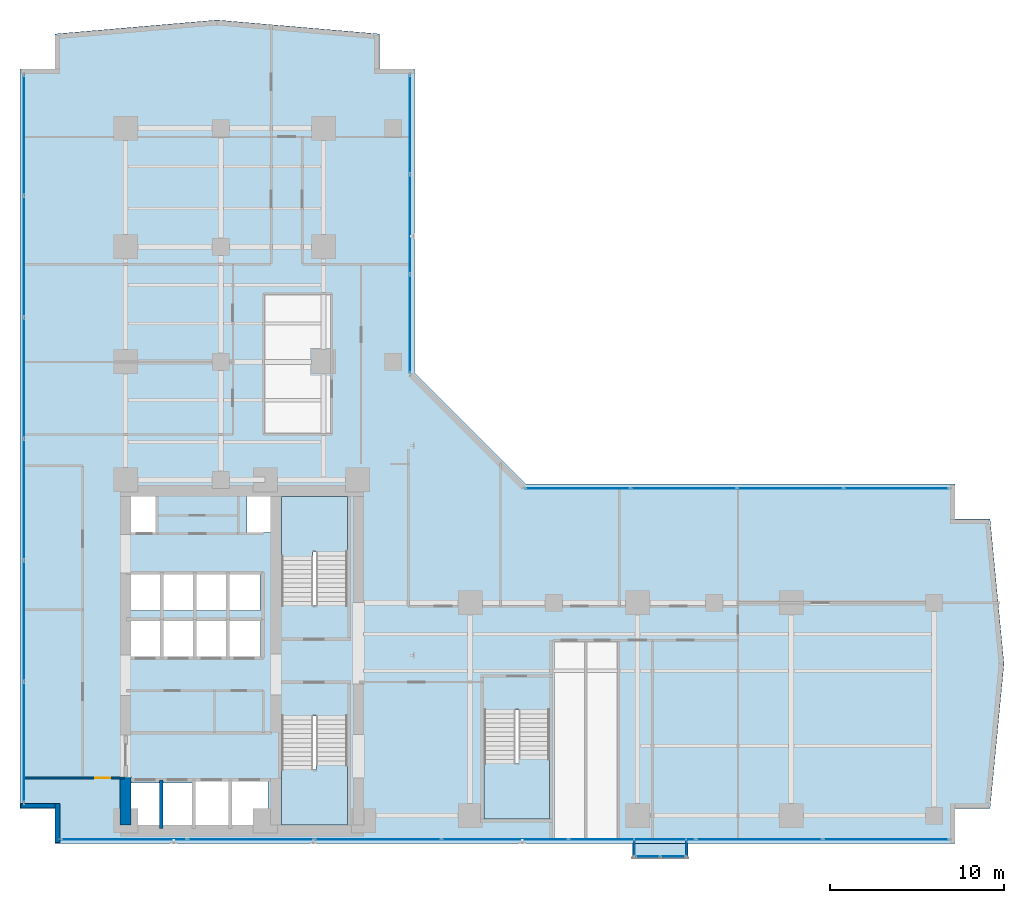
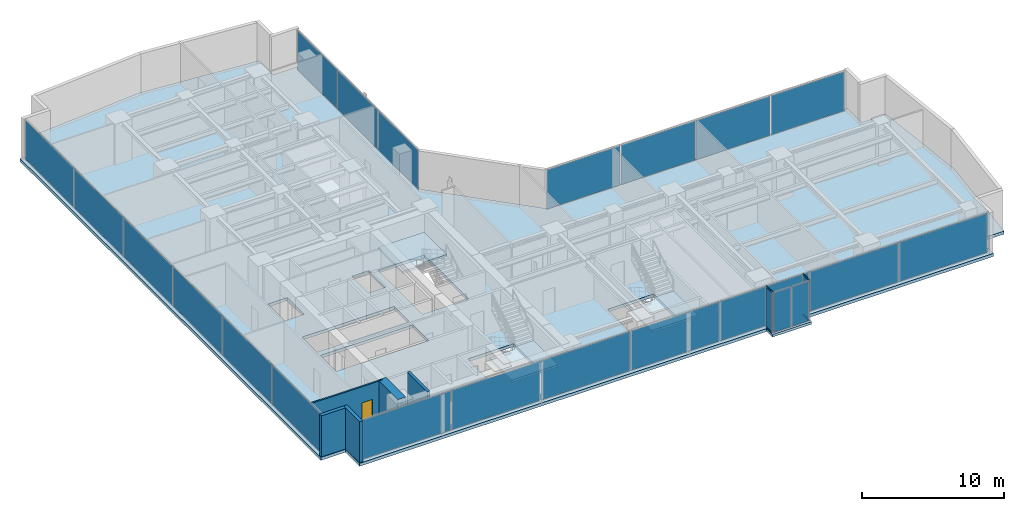
# One storey, part 19 of 27: 24 plates, 5 slabs, 5 walls, 4 members, 1 door, 1 opening, 10 elements without a shape of their own.
"""IFC4 building model written with IfcOpenShell, lengths in metres."""

from ifc_helpers import new_model, si_unit, direction, frame, frame_2d, origin, origin_with_axes, origin_2d, place, context, subcontext, project, spatial, polyline, rectangle, hollow_rectangle, outline, extrude, source, transform, mapped, material, layer, layer_set, material_profile, profile_set, type_object, element, fill, aggregate, save


model = new_model("IFC4")

# Units and contexts
model_context = context("Model", 3, precision=1e-05, world=origin(), true_north=direction((0.0, 1.0)))
body_context = subcontext(model_context, "Body", "Model", "MODEL_VIEW")
ifc_project = project(units=[si_unit("LENGTHUNIT", "METRE"), si_unit("AREAUNIT", "SQUARE_METRE"), si_unit("VOLUMEUNIT", "CUBIC_METRE"), si_unit("PLANEANGLEUNIT", "RADIAN"), si_unit("MASSUNIT", "GRAM", prefix="KILO")], contexts=[model_context])

# Site, building, storey
site_placement = place(None, origin())
site = spatial("IfcSite", under=ifc_project, at=site_placement, CompositionType="ELEMENT")
building_placement = place(site_placement, origin())
building = spatial("IfcBuilding", under=site, at=building_placement, Name="Kolvaren Waterfront Exchange", CompositionType="ELEMENT")
storey_placement = place(building_placement, frame((0.0, 0.0, 118.300048828125)))
storey = spatial("IfcBuildingStorey", under=building, at=storey_placement, Name="L30", CompositionType="ELEMENT", Elevation=118.300048828125)

# Curtain wall, members
ifc_material_1 = material(Name="Anodised bronze aluminium 6063-T6", Category="aluminium")
ifc_layer_1 = layer(ifc_material_1, 0.219970703125, Name="Anodised bronze aluminium 6063-T6")
ifc_layer_set_1 = layer_set([ifc_layer_1], Name="Anodised bronze aluminium 6063-T6")
curtain_wall_type_1 = type_object("IfcCurtainWallType", Name="ARC-CW-SYS3", PredefinedType="USERDEFINED", material=ifc_layer_set_1)
curtain_wall_1_placement = place(storey_placement, origin())
curtain_wall_1 = element("IfcCurtainWall", 1, at=curtain_wall_1_placement, inside=storey, type_object=curtain_wall_type_1, Name="L30 stick curtain wall CW3 (CW-L30-BOX-W)", ObjectType="STICK CURTAIN WALL", PredefinedType="USERDEFINED")
ifc_material_profile = material_profile(ifc_material_1, hollow_rectangle(XDim=0.06494140625, YDim=0.1298828125, WallThickness=0.00390625, at=origin_2d()), Name="ALU-TRN-130x65x4")
ifc_profile_set = profile_set([ifc_material_profile], Name="Anodised bronze aluminium 6063-T6")
member_type = type_object("IfcMemberType", Name="ARC-CWT-130", PredefinedType="USERDEFINED", material=ifc_profile_set)
shared_shape_1 = source(origin_with_axes(), body_context, "Body", "SweptSolid", [
    extrude(hollow_rectangle(XDim=0.06494140625, YDim=0.1298828125, WallThickness=0.00390625, at=origin_2d()), origin(), (0.0, 0.0, 1.0), 0.829833984375),
])
member_1_placement = place(storey_placement, frame((36.610107421875, 3.764892578125, 0.032470703125), z_axis=(0.0, -1.0, 0.0), x_axis=(1.0, 0.0, 0.0)))
member_1 = element("IfcMember", 2, at=member_1_placement, type_object=member_type, Name="CW3 transom 1.1", ObjectType="TRANSOM", PredefinedType="USERDEFINED", context=body_context, shape_type="MappedRepresentation", body=[
    mapped(shared_shape_1, transform((0.0, 0.0, 0.0), x_axis=(1.0, 0.0, 0.0), y_axis=(0.0, 1.0, 0.0), z_axis=(0.0, 0.0, 1.0), scale=1.0)),
])
member_2_placement = place(storey_placement, frame((36.610107421875, 3.764892578125, 3.507568359375), z_axis=(0.0, -1.0, 0.0), x_axis=(1.0, 0.0, 0.0)))
member_2 = element("IfcMember", 3, at=member_2_placement, type_object=member_type, Name="CW3 transom 1.2", ObjectType="TRANSOM", PredefinedType="USERDEFINED", context=body_context, shape_type="MappedRepresentation", body=[
    mapped(shared_shape_1, transform((0.0, 0.0, 0.0), x_axis=(1.0, 0.0, 0.0), y_axis=(0.0, 1.0, 0.0), z_axis=(0.0, 0.0, 1.0), scale=1.0)),
])

curtain_wall_2_placement = place(storey_placement, origin())
curtain_wall_2 = element("IfcCurtainWall", 4, at=curtain_wall_2_placement, inside=storey, type_object=curtain_wall_type_1, Name="L30 stick curtain wall CW3 (CW-L30-BOX-E)", ObjectType="STICK CURTAIN WALL", PredefinedType="USERDEFINED")
member_3_placement = place(storey_placement, frame((39.590087890625, 2.93505859375, 0.032470703125), z_axis=(0.0, 1.0, 0.0), x_axis=(-1.0, 0.0, 0.0)))
member_3 = element("IfcMember", 5, at=member_3_placement, type_object=member_type, Name="CW3 transom 1.1", ObjectType="TRANSOM", PredefinedType="USERDEFINED", context=body_context, shape_type="MappedRepresentation", body=[
    mapped(shared_shape_1, transform((0.0, 0.0, 0.0), x_axis=(1.0, 0.0, 0.0), y_axis=(0.0, 1.0, 0.0), z_axis=(0.0, 0.0, 1.0), scale=1.0)),
])
member_4_placement = place(storey_placement, frame((39.590087890625, 2.93505859375, 3.507568359375), z_axis=(0.0, 1.0, 0.0), x_axis=(-1.0, 0.0, 0.0)))
member_4 = element("IfcMember", 6, at=member_4_placement, type_object=member_type, Name="CW3 transom 1.2", ObjectType="TRANSOM", PredefinedType="USERDEFINED", context=body_context, shape_type="MappedRepresentation", body=[
    mapped(shared_shape_1, transform((0.0, 0.0, 0.0), x_axis=(1.0, 0.0, 0.0), y_axis=(0.0, 1.0, 0.0), z_axis=(0.0, 0.0, 1.0), scale=1.0)),
])

# Stair, slab
ifc_material_2 = material(Name="Concrete C40/50", Category="concrete")
stair_type = type_object("IfcStairType", Name="ARC-STAIR-3800", PredefinedType="HALF_TURN_STAIR", material=ifc_material_2)
stair_1_placement = place(storey_placement, origin())
stair_1 = element("IfcStair", 7, at=stair_1_placement, inside=storey, type_object=stair_type, Name="L30 Smoke-proof exit stair ST1", PredefinedType="HALF_TURN_STAIR")
ifc_layer_2 = layer(ifc_material_2, 0.199951171875, Name="Concrete C40/50")
ifc_layer_set_2 = layer_set([ifc_layer_2], Name="Concrete C40/50")
slab_type_1 = type_object("IfcSlabType", Name="STR-LANDING-200", PredefinedType="LANDING", material=ifc_layer_set_2)
slab_1_placement = place(storey_placement, frame((0.0, 0.0, 1.77587890625)))
slab_1 = element("IfcSlab", 8, at=slab_1_placement, type_object=slab_type_1, Name="ST1 landing 1", PredefinedType="LANDING", context=body_context, shape_type="SweptSolid", body=[
    extrude(outline(polyline([(16.39990234375, 7.840087890625), (16.39990234375, 4.64990234375), (20.159912109375, 4.64990234375), (20.159912109375, 8.10009765625), (18.360107421875, 8.10009765625), (18.360107421875, 7.840087890625), (16.39990234375, 7.840087890625)])), origin(), (0.0, 0.0, 1.0), 0.199951171875),
])
aggregate(stair_1, [slab_1])

stair_2_placement = place(storey_placement, origin())
stair_2 = element("IfcStair", 9, at=stair_2_placement, inside=storey, type_object=stair_type, Name="L30 Smoke-proof exit stair ST2", PredefinedType="HALF_TURN_STAIR")
slab_2_placement = place(storey_placement, frame((0.0, 0.0, 1.77587890625)))
slab_2 = element("IfcSlab", 10, at=slab_2_placement, type_object=slab_type_1, Name="ST2 landing 1", PredefinedType="LANDING", context=body_context, shape_type="SweptSolid", body=[
    extrude(outline(polyline([(20.159912109375, 20.31005859375), (20.159912109375, 23.5), (16.39990234375, 23.5), (16.39990234375, 20.050048828125), (18.199951171875, 20.050048828125), (18.199951171875, 20.31005859375), (20.159912109375, 20.31005859375)])), origin(), (0.0, 0.0, 1.0), 0.199951171875),
])
aggregate(stair_2, [slab_2])

stair_3_placement = place(storey_placement, origin())
stair_3 = element("IfcStair", 11, at=stair_3_placement, inside=storey, type_object=stair_type, Name="L30 Exit stair ST3", PredefinedType="HALF_TURN_STAIR")
slab_3_placement = place(storey_placement, frame((0.0, 0.0, 1.77587890625)))
slab_3 = element("IfcSlab", 12, at=slab_3_placement, type_object=slab_type_1, Name="ST3 landing 1", PredefinedType="LANDING", context=body_context, shape_type="SweptSolid", body=[
    extrude(outline(polyline([(28.0, 8.18994140625), (28.0, 5.0), (31.760009765625, 5.0), (31.760009765625, 8.449951171875), (29.9599609375, 8.449951171875), (29.9599609375, 8.18994140625), (28.0, 8.18994140625)])), origin(), (0.0, 0.0, 1.0), 0.199951171875),
])
aggregate(stair_3, [slab_3])

# Slabs
ifc_layer_3 = layer(ifc_material_2, 0.260009765625, Name="Concrete C40/50")
ifc_layer_set_3 = layer_set([ifc_layer_3], Name="Concrete C40/50")
slab_type_2 = type_object("IfcSlabType", Name="STR-SLAB-260", PredefinedType="FLOOR", material=ifc_layer_set_3)
slab_4_placement = place(storey_placement, frame((0.0, 0.0, -0.260009765625)))
element("IfcSlab", 13, at=slab_4_placement, inside=storey, type_object=slab_type_2, Name="L30 structural floor slab", PredefinedType="FLOOR", context=body_context, shape_type="SweptSolid", body=[
    extrude(outline(polyline([(3.39990234375, 3.60009765625), (55.0, 3.60009765625), (55.0, 5.60009765625), (57.0, 5.60009765625), (57.800048828125, 13.89990234375), (57.0, 22.199951171875), (55.0, 22.199951171875), (55.0, 24.199951171875), (30.39990234375, 24.199951171875), (24.0, 30.60009765625), (24.0, 48.0), (22.0, 48.0), (22.0, 50.0), (12.699951171875, 50.800048828125), (3.39990234375, 50.0), (3.39990234375, 48.0), (1.39990234375, 48.0), (1.39990234375, 5.60009765625), (3.39990234375, 5.60009765625), (3.39990234375, 3.60009765625)]), holes=[polyline([(11.320068359375, 7.260009765625), (15.610107421875, 7.260009765625), (15.610107421875, 4.5400390625), (7.719970703125, 4.5400390625), (7.719970703125, 7.06005859375), (11.320068359375, 7.06005859375), (11.320068359375, 7.260009765625)]), polyline([(20.159912109375, 10.89990234375), (20.159912109375, 4.64990234375), (16.39990234375, 4.64990234375), (16.39990234375, 10.89990234375), (20.159912109375, 10.89990234375)]), polyline([(31.760009765625, 11.25), (31.760009765625, 5.0), (28.0, 5.0), (28.0, 11.25), (31.760009765625, 11.25)]), polyline([(15.18505859375, 14.239990234375), (7.64501953125, 14.239990234375), (7.64501953125, 16.4599609375), (15.18505859375, 16.4599609375), (15.18505859375, 14.239990234375)]), polyline([(15.159912109375, 16.93994140625), (7.669921875, 16.93994140625), (7.669921875, 19.06005859375), (15.159912109375, 19.06005859375), (15.159912109375, 16.93994140625)]), polyline([(16.39990234375, 23.5), (20.159912109375, 23.5), (20.159912109375, 17.25), (16.39990234375, 17.25), (16.39990234375, 23.5)]), polyline([(7.60009765625, 23.780029296875), (9.179931640625, 23.780029296875), (9.179931640625, 21.419921875), (7.60009765625, 21.419921875), (7.60009765625, 23.780029296875)]), polyline([(15.800048828125, 23.780029296875), (15.800048828125, 21.419921875), (14.419921875, 21.419921875), (14.419921875, 23.780029296875), (15.800048828125, 23.780029296875)])]), origin(), (0.0, 0.0, 1.0), 0.260009765625),
])
ifc_layer_4 = layer(ifc_material_2, 0.219970703125, Name="Concrete C40/50")
ifc_layer_set_4 = layer_set([ifc_layer_4], Name="Concrete C40/50")
slab_type_3 = type_object("IfcSlabType", Name="STR-TERR-220", PredefinedType="FLOOR", material=ifc_layer_set_4)
slab_5_placement = place(storey_placement, frame((0.0, 0.0, -0.219970703125)))
element("IfcSlab", 14, at=slab_5_placement, inside=storey, type_object=slab_type_3, Name="L30 projecting bay-box floor strip", PredefinedType="FLOOR", context=body_context, shape_type="SweptSolid", body=[
    extrude(outline(polyline([(36.5, 2.75), (39.699951171875, 2.75), (39.699951171875, 3.60009765625), (36.5, 3.60009765625), (36.5, 2.75)])), origin(), (0.0, 0.0, 1.0), 0.219970703125),
])

# Plate
ifc_material_3 = material(Name="Bronze tinted bay-box vision glass", Category="aluminium")
ifc_layer_5 = layer(ifc_material_3, 0.02392578125, Name="Bronze tinted bay-box vision glass")
ifc_layer_set_5 = layer_set([ifc_layer_5], Name="Bronze tinted bay-box vision glass")
plate_type_1 = type_object("IfcPlateType", Name="ARC-CWP-24", PredefinedType="CURTAIN_PANEL", material=ifc_layer_set_5)
shared_shape_2 = source(origin_with_axes(), body_context, "Body", "SweptSolid", [
    extrude(rectangle(XDim=0.830078125, YDim=0.02392578125, at=origin_2d()), origin(), (0.0, 0.0, 1.0), 3.409912109375),
])
plate_1_placement = place(storey_placement, frame((36.610107421875, 3.35009765625, 0.06494140625), z_axis=(0.0, 0.0, 1.0), x_axis=(0.0, -1.0, 0.0)))
plate_1 = element("IfcPlate", 15, at=plate_1_placement, type_object=plate_type_1, Name="CW3 panel 1.1", PredefinedType="CURTAIN_PANEL", context=body_context, shape_type="MappedRepresentation", body=[
    mapped(shared_shape_2, transform((0.0, 0.0, 0.0), x_axis=(1.0, 0.0, 0.0), y_axis=(0.0, 1.0, 0.0), z_axis=(0.0, 0.0, 1.0), scale=1.0)),
])

aggregate(curtain_wall_1, [member_1, member_2, plate_1])

plate_2_placement = place(storey_placement, frame((39.590087890625, 3.35009765625, 0.06494140625), z_axis=(0.0, 0.0, 1.0), x_axis=(0.0, 1.0, 0.0)))
plate_2 = element("IfcPlate", 16, at=plate_2_placement, type_object=plate_type_1, Name="CW3 panel 1.1", PredefinedType="CURTAIN_PANEL", context=body_context, shape_type="MappedRepresentation", body=[
    mapped(shared_shape_2, transform((0.0, 0.0, 0.0), x_axis=(1.0, 0.0, 0.0), y_axis=(0.0, 1.0, 0.0), z_axis=(0.0, 0.0, 1.0), scale=1.0)),
])

aggregate(curtain_wall_2, [member_3, member_4, plate_2])

# Curtain wall, plates
curtain_wall_3_placement = place(storey_placement, origin())
curtain_wall_3 = element("IfcCurtainWall", 17, at=curtain_wall_3_placement, inside=storey, type_object=curtain_wall_type_1, Name="L30 stick curtain wall CW3 (CW-L30-BOX)", ObjectType="STICK CURTAIN WALL", PredefinedType="USERDEFINED")
shared_shape_3 = source(origin_with_axes(), body_context, "Body", "SweptSolid", [
    extrude(rectangle(XDim=1.37744140625, YDim=0.02392578125, at=origin_2d()), origin(), (0.0, 0.0, 1.0), 3.409912109375),
])
plate_3_placement = place(storey_placement, frame((37.373779296875, 2.860107421875, 0.06494140625), z_axis=(0.0, 0.0, 1.0), x_axis=(1.0, 0.0, 0.0)))
plate_3 = element("IfcPlate", 18, at=plate_3_placement, type_object=plate_type_1, Name="CW3 panel 1.1", PredefinedType="CURTAIN_PANEL", context=body_context, shape_type="MappedRepresentation", body=[
    mapped(shared_shape_3, transform((0.0, 0.0, 0.0), x_axis=(1.0, 0.0, 0.0), y_axis=(0.0, 1.0, 0.0), z_axis=(0.0, 0.0, 1.0), scale=1.0)),
])
plate_4_placement = place(storey_placement, frame((38.826171875, 2.860107421875, 0.06494140625), z_axis=(0.0, 0.0, 1.0), x_axis=(1.0, 0.0, 0.0)))
plate_4 = element("IfcPlate", 19, at=plate_4_placement, type_object=plate_type_1, Name="CW3 panel 2.1", PredefinedType="CURTAIN_PANEL", context=body_context, shape_type="MappedRepresentation", body=[
    mapped(shared_shape_3, transform((0.0, 0.0, 0.0), x_axis=(1.0, 0.0, 0.0), y_axis=(0.0, 1.0, 0.0), z_axis=(0.0, 0.0, 1.0), scale=1.0)),
])
aggregate(curtain_wall_3, [plate_3, plate_4])

ifc_material_4 = material(Name="Anodised aluminium 6063-T6", Category="aluminium")
ifc_layer_6 = layer(ifc_material_4, 0.219970703125, Name="Anodised aluminium 6063-T6")
ifc_layer_set_6 = layer_set([ifc_layer_6], Name="Anodised aluminium 6063-T6")
curtain_wall_type_2 = type_object("IfcCurtainWallType", Name="ARC-CW-SYS2", PredefinedType="USERDEFINED", material=ifc_layer_set_6)
curtain_wall_4_placement = place(storey_placement, origin())
curtain_wall_4 = element("IfcCurtainWall", 20, at=curtain_wall_4_placement, inside=storey, type_object=curtain_wall_type_2, Name="L30 stick curtain wall CW2 (CW-L30-W)", ObjectType="STICK CURTAIN WALL", PredefinedType="USERDEFINED")
ifc_material_5 = material(Name="Acoustic laminated vision glass", Category="glass")
ifc_layer_7 = layer(ifc_material_5, 0.031982421875, Name="Acoustic laminated vision glass")
ifc_layer_set_7 = layer_set([ifc_layer_7], Name="Acoustic laminated vision glass")
plate_type_2 = type_object("IfcPlateType", Name="ARC-CWP-32", PredefinedType="CURTAIN_PANEL", material=ifc_layer_set_7)
shared_shape_4 = source(origin_with_axes(), body_context, "Body", "SweptSolid", [
    extrude(rectangle(XDim=6.8466796875, YDim=0.031982421875, at=origin_2d()), origin(), (0.0, 0.0, 1.0), 3.389892578125),
])
plate_5_placement = place(storey_placement, frame((1.639892578125, 9.4033203125, 0.0751953125), z_axis=(0.0, 0.0, 1.0), x_axis=(0.0, 1.0, 0.0)))
plate_5 = element("IfcPlate", 21, at=plate_5_placement, type_object=plate_type_2, Name="CW2 panel 1.1", PredefinedType="CURTAIN_PANEL", context=body_context, shape_type="MappedRepresentation", body=[
    mapped(shared_shape_4, transform((0.0, 0.0, 0.0), x_axis=(1.0, 0.0, 0.0), y_axis=(0.0, 1.0, 0.0), z_axis=(0.0, 0.0, 1.0), scale=1.0)),
])
plate_6_placement = place(storey_placement, frame((1.639892578125, 44.19677734375, 0.0751953125), z_axis=(0.0, 0.0, 1.0), x_axis=(0.0, 1.0, 0.0)))
plate_6 = element("IfcPlate", 22, at=plate_6_placement, type_object=plate_type_2, Name="CW2 panel 6.1", PredefinedType="CURTAIN_PANEL", context=body_context, shape_type="MappedRepresentation", body=[
    mapped(shared_shape_4, transform((0.0, 0.0, 0.0), x_axis=(1.0, 0.0, 0.0), y_axis=(0.0, 1.0, 0.0), z_axis=(0.0, 0.0, 1.0), scale=1.0)),
])
shared_shape_5 = source(origin_with_axes(), body_context, "Body", "SweptSolid", [
    extrude(rectangle(XDim=6.88671875, YDim=0.031982421875, at=origin_2d()), origin(), (0.0, 0.0, 1.0), 3.389892578125),
])
plate_7_placement = place(storey_placement, frame((1.639892578125, 16.35009765625, 0.0751953125), z_axis=(0.0, 0.0, 1.0), x_axis=(0.0, 1.0, 0.0)))
plate_7 = element("IfcPlate", 23, at=plate_7_placement, type_object=plate_type_2, Name="CW2 panel 2.1", PredefinedType="CURTAIN_PANEL", context=body_context, shape_type="MappedRepresentation", body=[
    mapped(shared_shape_5, transform((0.0, 0.0, 0.0), x_axis=(1.0, 0.0, 0.0), y_axis=(0.0, 1.0, 0.0), z_axis=(0.0, 0.0, 1.0), scale=1.0)),
])
plate_8_placement = place(storey_placement, frame((1.639892578125, 23.316650390625, 0.0751953125), z_axis=(0.0, 0.0, 1.0), x_axis=(0.0, 1.0, 0.0)))
plate_8 = element("IfcPlate", 24, at=plate_8_placement, type_object=plate_type_2, Name="CW2 panel 3.1", PredefinedType="CURTAIN_PANEL", context=body_context, shape_type="MappedRepresentation", body=[
    mapped(shared_shape_5, transform((0.0, 0.0, 0.0), x_axis=(1.0, 0.0, 0.0), y_axis=(0.0, 1.0, 0.0), z_axis=(0.0, 0.0, 1.0), scale=1.0)),
])
plate_9_placement = place(storey_placement, frame((1.639892578125, 30.283447265625, 0.0751953125), z_axis=(0.0, 0.0, 1.0), x_axis=(0.0, 1.0, 0.0)))
plate_9 = element("IfcPlate", 25, at=plate_9_placement, type_object=plate_type_2, Name="CW2 panel 4.1", PredefinedType="CURTAIN_PANEL", context=body_context, shape_type="MappedRepresentation", body=[
    mapped(shared_shape_5, transform((0.0, 0.0, 0.0), x_axis=(1.0, 0.0, 0.0), y_axis=(0.0, 1.0, 0.0), z_axis=(0.0, 0.0, 1.0), scale=1.0)),
])
plate_10_placement = place(storey_placement, frame((1.639892578125, 37.25, 0.0751953125), z_axis=(0.0, 0.0, 1.0), x_axis=(0.0, 1.0, 0.0)))
plate_10 = element("IfcPlate", 26, at=plate_10_placement, type_object=plate_type_2, Name="CW2 panel 5.1", PredefinedType="CURTAIN_PANEL", context=body_context, shape_type="MappedRepresentation", body=[
    mapped(shared_shape_5, transform((0.0, 0.0, 0.0), x_axis=(1.0, 0.0, 0.0), y_axis=(0.0, 1.0, 0.0), z_axis=(0.0, 0.0, 1.0), scale=1.0)),
])
aggregate(curtain_wall_4, [plate_5, plate_7, plate_8, plate_9, plate_10, plate_6])

ifc_layer_8 = layer(ifc_material_1, 0.219970703125, Name="Anodised bronze aluminium 6063-T6")
ifc_layer_set_8 = layer_set([ifc_layer_8], Name="Anodised bronze aluminium 6063-T6")
curtain_wall_type_3 = type_object("IfcCurtainWallType", Name="ARC-CW-SYS1", PredefinedType="USERDEFINED", material=ifc_layer_set_8)
curtain_wall_5_placement = place(storey_placement, origin())
curtain_wall_5 = element("IfcCurtainWall", 27, at=curtain_wall_5_placement, inside=storey, type_object=curtain_wall_type_3, Name="L30 stick curtain wall CW1 (CW-L30-NE)", ObjectType="STICK CURTAIN WALL", PredefinedType="USERDEFINED")
ifc_material_6 = material(Name="Bronze solar control vision glass", Category="aluminium")
ifc_layer_9 = layer(ifc_material_6, 0.028076171875, Name="Bronze solar control vision glass")
ifc_layer_set_9 = layer_set([ifc_layer_9], Name="Bronze solar control vision glass")
plate_type_3 = type_object("IfcPlateType", Name="ARC-CWP-28", PredefinedType="CURTAIN_PANEL", material=ifc_layer_set_9)
shared_shape_6 = source(origin_with_axes(), body_context, "Body", "SweptSolid", [
    extrude(rectangle(XDim=5.61669921875, YDim=0.028076171875, at=origin_2d()), origin(), (0.0, 0.0, 1.0), 3.389892578125),
])
plate_11_placement = place(storey_placement, frame((23.760009765625, 33.37841796875, 0.0751953125), z_axis=(0.0, 0.0, 1.0), x_axis=(0.0, 1.0, 0.0)))
plate_11 = element("IfcPlate", 28, at=plate_11_placement, type_object=plate_type_3, Name="CW1 panel 1.1", PredefinedType="CURTAIN_PANEL", context=body_context, shape_type="MappedRepresentation", body=[
    mapped(shared_shape_6, transform((0.0, 0.0, 0.0), x_axis=(1.0, 0.0, 0.0), y_axis=(0.0, 1.0, 0.0), z_axis=(0.0, 0.0, 1.0), scale=1.0)),
])
plate_12_placement = place(storey_placement, frame((23.760009765625, 44.811767578125, 0.0751953125), z_axis=(0.0, 0.0, 1.0), x_axis=(0.0, 1.0, 0.0)))
plate_12 = element("IfcPlate", 29, at=plate_12_placement, type_object=plate_type_3, Name="CW1 panel 3.1", PredefinedType="CURTAIN_PANEL", context=body_context, shape_type="MappedRepresentation", body=[
    mapped(shared_shape_6, transform((0.0, 0.0, 0.0), x_axis=(1.0, 0.0, 0.0), y_axis=(0.0, 1.0, 0.0), z_axis=(0.0, 0.0, 1.0), scale=1.0)),
])
shared_shape_7 = source(origin_with_axes(), body_context, "Body", "SweptSolid", [
    extrude(rectangle(XDim=5.65673828125, YDim=0.028076171875, at=origin_2d()), origin(), (0.0, 0.0, 1.0), 3.389892578125),
])
plate_13_placement = place(storey_placement, frame((23.760009765625, 39.094970703125, 0.0751953125), z_axis=(0.0, 0.0, 1.0), x_axis=(0.0, 1.0, 0.0)))
plate_13 = element("IfcPlate", 30, at=plate_13_placement, type_object=plate_type_3, Name="CW1 panel 2.1", PredefinedType="CURTAIN_PANEL", context=body_context, shape_type="MappedRepresentation", body=[
    mapped(shared_shape_7, transform((0.0, 0.0, 0.0), x_axis=(1.0, 0.0, 0.0), y_axis=(0.0, 1.0, 0.0), z_axis=(0.0, 0.0, 1.0), scale=1.0)),
])
aggregate(curtain_wall_5, [plate_11, plate_13, plate_12])

curtain_wall_6_placement = place(storey_placement, origin())
curtain_wall_6 = element("IfcCurtainWall", 31, at=curtain_wall_6_placement, inside=storey, type_object=curtain_wall_type_3, Name="L30 stick curtain wall CW1 (CW-L30-EN)", ObjectType="STICK CURTAIN WALL", PredefinedType="USERDEFINED")
shared_shape_8 = source(origin_with_axes(), body_context, "Body", "SweptSolid", [
    extrude(rectangle(XDim=5.982421875, YDim=0.028076171875, at=origin_2d()), origin(), (0.0, 0.0, 1.0), 3.389892578125),
])
plate_14_placement = place(storey_placement, frame((33.361328125, 23.9599609375, 0.0751953125), z_axis=(0.0, 0.0, 1.0), x_axis=(1.0, 0.0, 0.0)))
plate_14 = element("IfcPlate", 32, at=plate_14_placement, type_object=plate_type_3, Name="CW1 panel 1.1", PredefinedType="CURTAIN_PANEL", context=body_context, shape_type="MappedRepresentation", body=[
    mapped(shared_shape_8, transform((0.0, 0.0, 0.0), x_axis=(1.0, 0.0, 0.0), y_axis=(0.0, 1.0, 0.0), z_axis=(0.0, 0.0, 1.0), scale=1.0)),
])
plate_15_placement = place(storey_placement, frame((51.628662109375, 23.9599609375, 0.0751953125), z_axis=(0.0, 0.0, 1.0), x_axis=(1.0, 0.0, 0.0)))
plate_15 = element("IfcPlate", 33, at=plate_15_placement, type_object=plate_type_3, Name="CW1 panel 4.1", PredefinedType="CURTAIN_PANEL", context=body_context, shape_type="MappedRepresentation", body=[
    mapped(shared_shape_8, transform((0.0, 0.0, 0.0), x_axis=(1.0, 0.0, 0.0), y_axis=(0.0, 1.0, 0.0), z_axis=(0.0, 0.0, 1.0), scale=1.0)),
])
shared_shape_9 = source(origin_with_axes(), body_context, "Body", "SweptSolid", [
    extrude(rectangle(XDim=6.0224609375, YDim=0.028076171875, at=origin_2d()), origin(), (0.0, 0.0, 1.0), 3.389892578125),
])
plate_16_placement = place(storey_placement, frame((39.44384765625, 23.9599609375, 0.0751953125), z_axis=(0.0, 0.0, 1.0), x_axis=(1.0, 0.0, 0.0)))
plate_16 = element("IfcPlate", 34, at=plate_16_placement, type_object=plate_type_3, Name="CW1 panel 2.1", PredefinedType="CURTAIN_PANEL", context=body_context, shape_type="MappedRepresentation", body=[
    mapped(shared_shape_9, transform((0.0, 0.0, 0.0), x_axis=(1.0, 0.0, 0.0), y_axis=(0.0, 1.0, 0.0), z_axis=(0.0, 0.0, 1.0), scale=1.0)),
])
plate_17_placement = place(storey_placement, frame((45.546142578125, 23.9599609375, 0.0751953125), z_axis=(0.0, 0.0, 1.0), x_axis=(1.0, 0.0, 0.0)))
plate_17 = element("IfcPlate", 35, at=plate_17_placement, type_object=plate_type_3, Name="CW1 panel 3.1", PredefinedType="CURTAIN_PANEL", context=body_context, shape_type="MappedRepresentation", body=[
    mapped(shared_shape_9, transform((0.0, 0.0, 0.0), x_axis=(1.0, 0.0, 0.0), y_axis=(0.0, 1.0, 0.0), z_axis=(0.0, 0.0, 1.0), scale=1.0)),
])
aggregate(curtain_wall_6, [plate_14, plate_16, plate_17, plate_15])

curtain_wall_7_placement = place(storey_placement, origin())
curtain_wall_7 = element("IfcCurtainWall", 36, at=curtain_wall_7_placement, inside=storey, type_object=curtain_wall_type_3, Name="L30 stick curtain wall CW1 (CW-L30-S)", ObjectType="STICK CURTAIN WALL", PredefinedType="USERDEFINED")
shared_shape_10 = source(origin_with_axes(), body_context, "Body", "SweptSolid", [
    extrude(rectangle(XDim=7.165771484375, YDim=0.028076171875, at=origin_2d()), origin(), (0.0, 0.0, 1.0), 3.389892578125),
])
plate_18_placement = place(storey_placement, frame((7.36279296875, 3.840087890625, 0.0751953125), z_axis=(0.0, 0.0, 1.0), x_axis=(1.0, 0.0, 0.0)))
plate_18 = element("IfcPlate", 37, at=plate_18_placement, type_object=plate_type_3, Name="CW1 panel 1.1", PredefinedType="CURTAIN_PANEL", context=body_context, shape_type="MappedRepresentation", body=[
    mapped(shared_shape_10, transform((0.0, 0.0, 0.0), x_axis=(1.0, 0.0, 0.0), y_axis=(0.0, 1.0, 0.0), z_axis=(0.0, 0.0, 1.0), scale=1.0)),
])
plate_19_placement = place(storey_placement, frame((51.037109375, 3.840087890625, 0.0751953125), z_axis=(0.0, 0.0, 1.0), x_axis=(1.0, 0.0, 0.0)))
plate_19 = element("IfcPlate", 38, at=plate_19_placement, type_object=plate_type_3, Name="CW1 panel 7.1", PredefinedType="CURTAIN_PANEL", context=body_context, shape_type="MappedRepresentation", body=[
    mapped(shared_shape_10, transform((0.0, 0.0, 0.0), x_axis=(1.0, 0.0, 0.0), y_axis=(0.0, 1.0, 0.0), z_axis=(0.0, 0.0, 1.0), scale=1.0)),
])
shared_shape_11 = source(origin_with_axes(), body_context, "Body", "SweptSolid", [
    extrude(rectangle(XDim=7.205810546875, YDim=0.028076171875, at=origin_2d()), origin(), (0.0, 0.0, 1.0), 3.389892578125),
])
plate_20_placement = place(storey_placement, frame((14.628662109375, 3.840087890625, 0.0751953125), z_axis=(0.0, 0.0, 1.0), x_axis=(1.0, 0.0, 0.0)))
plate_20 = element("IfcPlate", 39, at=plate_20_placement, type_object=plate_type_3, Name="CW1 panel 2.1", PredefinedType="CURTAIN_PANEL", context=body_context, shape_type="MappedRepresentation", body=[
    mapped(shared_shape_11, transform((0.0, 0.0, 0.0), x_axis=(1.0, 0.0, 0.0), y_axis=(0.0, 1.0, 0.0), z_axis=(0.0, 0.0, 1.0), scale=1.0)),
])
plate_21_placement = place(storey_placement, frame((21.914306640625, 3.840087890625, 0.0751953125), z_axis=(0.0, 0.0, 1.0), x_axis=(1.0, 0.0, 0.0)))
plate_21 = element("IfcPlate", 40, at=plate_21_placement, type_object=plate_type_3, Name="CW1 panel 3.1", PredefinedType="CURTAIN_PANEL", context=body_context, shape_type="MappedRepresentation", body=[
    mapped(shared_shape_11, transform((0.0, 0.0, 0.0), x_axis=(1.0, 0.0, 0.0), y_axis=(0.0, 1.0, 0.0), z_axis=(0.0, 0.0, 1.0), scale=1.0)),
])
plate_22_placement = place(storey_placement, frame((29.199951171875, 3.840087890625, 0.0751953125), z_axis=(0.0, 0.0, 1.0), x_axis=(1.0, 0.0, 0.0)))
plate_22 = element("IfcPlate", 41, at=plate_22_placement, type_object=plate_type_3, Name="CW1 panel 4.1", PredefinedType="CURTAIN_PANEL", context=body_context, shape_type="MappedRepresentation", body=[
    mapped(shared_shape_11, transform((0.0, 0.0, 0.0), x_axis=(1.0, 0.0, 0.0), y_axis=(0.0, 1.0, 0.0), z_axis=(0.0, 0.0, 1.0), scale=1.0)),
])
plate_23_placement = place(storey_placement, frame((36.485595703125, 3.840087890625, 0.0751953125), z_axis=(0.0, 0.0, 1.0), x_axis=(1.0, 0.0, 0.0)))
plate_23 = element("IfcPlate", 42, at=plate_23_placement, type_object=plate_type_3, Name="CW1 panel 5.1", PredefinedType="CURTAIN_PANEL", context=body_context, shape_type="MappedRepresentation", body=[
    mapped(shared_shape_11, transform((0.0, 0.0, 0.0), x_axis=(1.0, 0.0, 0.0), y_axis=(0.0, 1.0, 0.0), z_axis=(0.0, 0.0, 1.0), scale=1.0)),
])
plate_24_placement = place(storey_placement, frame((43.771484375, 3.840087890625, 0.0751953125), z_axis=(0.0, 0.0, 1.0), x_axis=(1.0, 0.0, 0.0)))
plate_24 = element("IfcPlate", 43, at=plate_24_placement, type_object=plate_type_3, Name="CW1 panel 6.1", PredefinedType="CURTAIN_PANEL", context=body_context, shape_type="MappedRepresentation", body=[
    mapped(shared_shape_11, transform((0.0, 0.0, 0.0), x_axis=(1.0, 0.0, 0.0), y_axis=(0.0, 1.0, 0.0), z_axis=(0.0, 0.0, 1.0), scale=1.0)),
])
aggregate(curtain_wall_7, [plate_18, plate_20, plate_21, plate_22, plate_23, plate_24, plate_19])

# Walls
ifc_material_7 = material(Name="Precast concrete C40/50", Category="concrete")
ifc_layer_10 = layer(ifc_material_7, 0.280029296875, Name="Precast concrete C40/50")
ifc_layer_set_10 = layer_set([ifc_layer_10], Name="Precast concrete C40/50")
wall_type_1 = type_object("IfcWallType", Name="ARC-EXT-TERR-280", PredefinedType="SOLIDWALL", material=ifc_layer_set_10)
wall_1_placement = place(storey_placement, frame((3.56005859375, 3.659912109375, 0.0), z_axis=(0.0, 0.0, 1.0), x_axis=(0.0, 1.0, 0.0)))
element("IfcWall", 44, at=wall_1_placement, inside=storey, type_object=wall_type_1, Name="L30 notched corner spandrel pier SW-A", PredefinedType="SOLIDWALL", context=body_context, shape_type="SweptSolid", body=[
    extrude(rectangle(XDim=2.239990234375, YDim=0.280029296875, at=frame_2d((1.1201171875, 0.0))), origin(), (0.0, 0.0, 1.0), 3.5400390625),
])
wall_2_placement = place(storey_placement, frame((1.4599609375, 5.760009765625, 0.0), z_axis=(0.0, 0.0, 1.0), x_axis=(1.0, 0.0, 0.0)))
element("IfcWall", 45, at=wall_2_placement, inside=storey, type_object=wall_type_1, Name="L30 notched corner spandrel pier SW-B", PredefinedType="SOLIDWALL", context=body_context, shape_type="SweptSolid", body=[
    extrude(rectangle(XDim=1.9599609375, YDim=0.280029296875, at=frame_2d((0.97998046875, 0.0))), origin(), (0.0, 0.0, 1.0), 3.5400390625),
])

# Wall, opening, door
ifc_material_8 = material(Name="Acoustic gypsum steel stud", Category="steel")
ifc_layer_11 = layer(ifc_material_8, 0.125, Name="Acoustic gypsum steel stud")
ifc_layer_set_11 = layer_set([ifc_layer_11], Name="Acoustic gypsum steel stud")
wall_type_2 = type_object("IfcWallType", Name="ARC-PART-125", PredefinedType="PARTITIONING", material=ifc_layer_set_11)
wall_3_placement = place(storey_placement, frame((1.639892578125, 7.35009765625, 0.0), z_axis=(0.0, 0.0, 1.0), x_axis=(1.0, 0.0, 0.0)))
wall_3 = element("IfcWall", 46, at=wall_3_placement, inside=storey, type_object=wall_type_2, Name="L30 interior wall PW-L30-SWC-N", PredefinedType="PARTITIONING", context=body_context, shape_type="SweptSolid", body=[
    extrude(rectangle(XDim=5.760009765625, YDim=0.125, at=frame_2d((2.8798828125, 0.0))), origin(), (0.0, 0.0, 1.0), 3.5400390625),
])
opening_placement = place(wall_3_placement, frame((4.086669921875, 0.0, 0.0)))
opening = element("IfcOpeningElement", 47, at=opening_placement, cuts=wall_3, Name="Opening D01", PredefinedType="OPENING", context=body_context, shape_type="SweptSolid", body=[
    extrude(rectangle(XDim=0.85009765625, YDim=2.14990234375, at=frame_2d((0.425048828125, 1.074951171875))), frame((0.0, 0.072509765625, 0.0), z_axis=(0.0, -1.0, 0.0), x_axis=(1.0, 0.0, 0.0)), (0.0, 0.0, 1.0), 0.14501953125),
])
ifc_material_9 = material(Name="Oak veneer timber leaf", Category="wood")
door_type = type_object("IfcDoorType", Name="ARC-DR-900", OperationType="NOTDEFINED", PredefinedType="DOOR", material=ifc_material_9)
door_placement = place(opening_placement, origin())
door = element("IfcDoor", 48, at=door_placement, inside=storey, type_object=door_type, Name="L30 door DR-L30-SWC-D (D01)", OperationType="SINGLE_SWING_RIGHT", OverallHeight=2.14990234375, OverallWidth=0.85009765625, PredefinedType="DOOR", context=body_context, shape_type="SweptSolid", body=[
    extrude(rectangle(XDim=0.85009765625, YDim=2.14990234375, at=frame_2d((0.425048828125, 1.074951171875))), frame((0.0, 0.02490234375, 0.0), z_axis=(0.0, -1.0, 0.0), x_axis=(1.0, 0.0, 0.0)), (0.0, 0.0, 1.0), 0.050048828125),
])
fill(opening, door)

# Walls
ifc_layer_12 = layer(ifc_material_2, 0.199951171875, Name="Concrete C40/50")
ifc_layer_set_12 = layer_set([ifc_layer_12], Name="Concrete C40/50")
wall_type_3 = type_object("IfcWallType", Name="ARC-SHAFT-200", PredefinedType="PARTITIONING", material=ifc_layer_set_12)
wall_4_placement = place(storey_placement, frame((9.5, 4.449951171875, 0.0), z_axis=(0.0, 0.0, 1.0), x_axis=(0.0, 1.0, 0.0)))
element("IfcWall", 49, at=wall_4_placement, inside=storey, type_object=wall_type_3, Name="L30 interior wall PW-L30-SH1-DIV-95", PredefinedType="PARTITIONING", context=body_context, shape_type="SweptSolid", body=[
    extrude(rectangle(XDim=2.800048828125, YDim=0.199951171875, at=frame_2d((1.39990234375, 0.0))), origin(), (0.0, 0.0, 1.0), 3.5400390625),
])
ifc_material_10 = material(Name="Concrete C60/75", Category="concrete")
ifc_layer_13 = layer(ifc_material_10, 0.64990234375, Name="Concrete C60/75")
ifc_layer_set_13 = layer_set([ifc_layer_13], Name="Concrete C60/75")
wall_type_4 = type_object("IfcWallType", Name="STR-CWALL-650", PredefinedType="SHEAR", material=ifc_layer_set_13)
wall_5_placement = place(storey_placement, frame((7.449951171875, 4.64990234375, 0.0), z_axis=(0.0, 0.0, 1.0), x_axis=(0.0, 1.0, 0.0)))
element("IfcWall", 50, at=wall_5_placement, inside=storey, type_object=wall_type_4, Name="L30 rear-core shear wall W1", PredefinedType="SHEAR", context=body_context, shape_type="SweptSolid", body=[
    extrude(rectangle(XDim=2.800048828125, YDim=0.64990234375, at=frame_2d((1.39990234375, 0.0))), origin(), (0.0, 0.0, 1.0), 3.5400390625),
])

save(model, "model.ifc")
